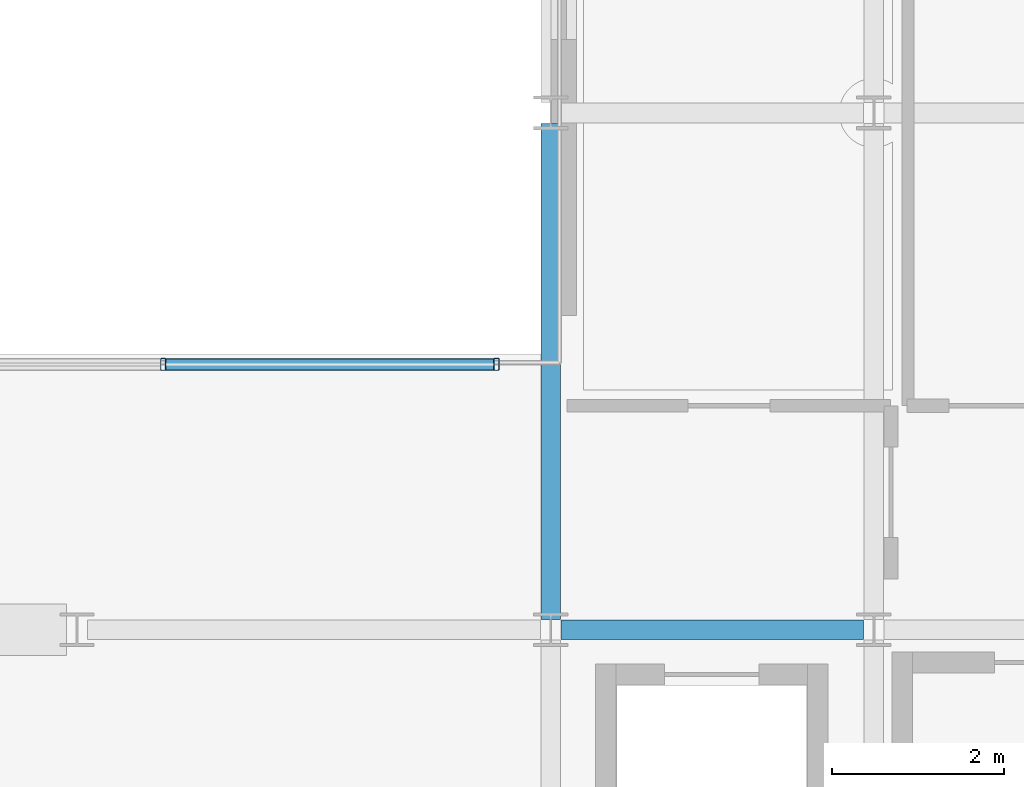
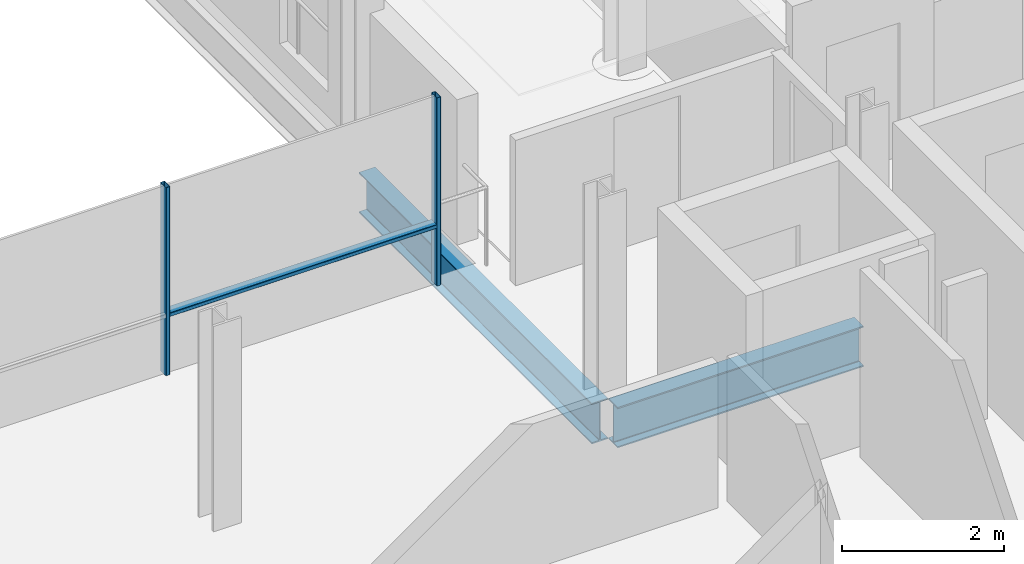
# One storey, part 16 of 36: 3 members, 2 beams, 1 element without a shape of its own.
"""IFC4 building model written with IfcOpenShell, lengths in metres."""

from ifc_helpers import new_model, si_unit, direction, frame, origin, origin_2d, place, context, subcontext, project, spatial, hollow_rectangle, i_section, extrude, material, layer, layer_set, material_profile, profile_set, type_object, element, aggregate, save


model = new_model("IFC4")

# Units and contexts
model_context = context("Model", 3, precision=1e-05, world=origin(), true_north=direction((0.0, 1.0)))
body_context = subcontext(model_context, "Body", "Model", "MODEL_VIEW")
ifc_project = project(units=[si_unit("LENGTHUNIT", "METRE"), si_unit("AREAUNIT", "SQUARE_METRE"), si_unit("VOLUMEUNIT", "CUBIC_METRE"), si_unit("PLANEANGLEUNIT", "RADIAN"), si_unit("MASSUNIT", "GRAM", prefix="KILO")], contexts=[model_context])

# Site, building, storey
site_placement = place(None, origin())
site = spatial("IfcSite", under=ifc_project, at=site_placement, CompositionType="ELEMENT")
building_placement = place(site_placement, origin())
building = spatial("IfcBuilding", under=site, at=building_placement, Name="Brevholm Reach", CompositionType="ELEMENT")
storey_placement = place(building_placement, frame((0.0, 0.0, 175.89990234375)))
storey = spatial("IfcBuildingStorey", under=building, at=storey_placement, Name="L53", CompositionType="ELEMENT", Elevation=175.89990234375)

# Beams
ifc_material_1 = material(Name="Structural Steel S355J2", Category="steel")
ifc_material_profile_1 = material_profile(ifc_material_1, i_section(OverallWidth=0.22900390625, OverallDepth=0.6123046875, WebThickness=0.011962890625, FlangeThickness=0.01953125, FilletRadius=0.0126953125, at=origin_2d()), Name="UKB 610x229x125")
ifc_profile_set_1 = profile_set([ifc_material_profile_1], Name="Structural Steel S355J2")
beam_type = type_object("IfcBeamType", Name="BM-SP610", PredefinedType="SPANDREL", material=ifc_profile_set_1)
beam_1_placement = place(storey_placement, frame((38.3701171875, 10.0, -0.51611328125), z_axis=(1.0, 0.0, 0.0), x_axis=(0.0, 1.0, 0.0)))
element("IfcBeam", 1, at=beam_1_placement, inside=storey, type_object=beam_type, Name="L53 SP-01 Framing Beam", PredefinedType="SPANDREL", context=body_context, shape_type="SweptSolid", body=[
    extrude(i_section(OverallWidth=0.22900390625, OverallDepth=0.6123046875, WebThickness=0.011962890625, FlangeThickness=0.01953125, FilletRadius=0.0126953125, at=origin_2d()), origin(), (0.0, 0.0, 1.0), 3.509765625),
])
beam_2_placement = place(storey_placement, frame((38.25, 10.1201171875, -0.51611328125), z_axis=(0.0, 1.0, 0.0), x_axis=(-1.0, 0.0, 0.0)))
element("IfcBeam", 2, at=beam_2_placement, inside=storey, type_object=beam_type, Name="L53 SP-01 Framing Beam", PredefinedType="SPANDREL", context=body_context, shape_type="SweptSolid", body=[
    extrude(i_section(OverallWidth=0.22900390625, OverallDepth=0.6123046875, WebThickness=0.011962890625, FlangeThickness=0.01953125, FilletRadius=0.0126953125, at=origin_2d()), origin(), (0.0, 0.0, 1.0), 5.759765625),
])

# Curtain wall, members
ifc_material_2 = material(Name="Dark Anodised Aluminium 6063-T6 and Solar-Control Glass", Category="aluminium")
ifc_layer = layer(ifc_material_2, 0.139892578125)
ifc_layer_set = layer_set([ifc_layer], Name="Dark Anodised Aluminium 6063-T6 and Solar-Control Glass")
curtain_wall_type = type_object("IfcCurtainWallType", Name="CW-02", PredefinedType="NOTDEFINED", material=ifc_layer_set)
curtain_wall_placement = place(storey_placement, origin())
curtain_wall = element("IfcCurtainWall", 3, at=curtain_wall_placement, inside=storey, type_object=curtain_wall_type, Name="L53 Curtain Wall CW-02", PredefinedType="NOTDEFINED")
ifc_material_3 = material(Name="Dark Anodised Aluminium 6063-T6", Category="aluminium")
ifc_material_profile_2 = material_profile(ifc_material_3, hollow_rectangle(XDim=0.06005859375, YDim=0.139892578125, WallThickness=0.0048828125, InnerFilletRadius=0.0048828125, OuterFilletRadius=0.010009765625, at=origin_2d()), Name="RHS 140x60x5")
ifc_profile_set_2 = profile_set([ifc_material_profile_2], Name="Dark Anodised Aluminium 6063-T6")
member_type_1 = type_object("IfcMemberType", Name="CWM-140", PredefinedType="MULLION", material=ifc_profile_set_2)
member_1_placement = place(storey_placement, frame((33.75, 13.080078125, 0.0), z_axis=(0.0, 0.0, 1.0), x_axis=(1.0, 0.0, 0.0)))
member_1 = element("IfcMember", 4, at=member_1_placement, type_object=member_type_1, Name="CM-140 Mullion 4", PredefinedType="MULLION", context=body_context, shape_type="SweptSolid", body=[
    extrude(hollow_rectangle(XDim=0.06005859375, YDim=0.139892578125, WallThickness=0.0048828125, InnerFilletRadius=0.0048828125, OuterFilletRadius=0.010009765625, at=origin_2d()), origin(), (0.0, 0.0, 1.0), 2.840087890625),
])
member_2_placement = place(storey_placement, frame((37.6201171875, 13.080078125, 0.0), z_axis=(0.0, 0.0, 1.0), x_axis=(1.0, 0.0, 0.0)))
member_2 = element("IfcMember", 5, at=member_2_placement, type_object=member_type_1, Name="CM-140 Mullion 5", PredefinedType="MULLION", context=body_context, shape_type="SweptSolid", body=[
    extrude(hollow_rectangle(XDim=0.06005859375, YDim=0.139892578125, WallThickness=0.0048828125, InnerFilletRadius=0.0048828125, OuterFilletRadius=0.010009765625, at=origin_2d()), origin(), (0.0, 0.0, 1.0), 2.840087890625),
])
ifc_material_4 = material(Name="Dark Anodised Aluminium 6063-T6", Category="aluminium")
ifc_material_profile_3 = material_profile(ifc_material_4, hollow_rectangle(XDim=0.06005859375, YDim=0.139892578125, WallThickness=0.0048828125, InnerFilletRadius=0.0048828125, OuterFilletRadius=0.010009765625, at=origin_2d()), Name="RHS 140x60x5")
ifc_profile_set_3 = profile_set([ifc_material_profile_3], Name="Dark Anodised Aluminium 6063-T6")
member_type_2 = type_object("IfcMemberType", Name="CWT-140", PredefinedType="NOTDEFINED", material=ifc_profile_set_3)
member_3_placement = place(storey_placement, frame((33.780029296875, 13.080078125, 0.900146484375), z_axis=(1.0, 0.0, 0.0), x_axis=(0.0, 0.0, 1.0)))
member_3 = element("IfcMember", 6, at=member_3_placement, type_object=member_type_2, Name="CT-140 Transom 4.1", ObjectType="TRANSOM", PredefinedType="USERDEFINED", context=body_context, shape_type="SweptSolid", body=[
    extrude(hollow_rectangle(XDim=0.06005859375, YDim=0.139892578125, WallThickness=0.0048828125, InnerFilletRadius=0.0048828125, OuterFilletRadius=0.010009765625, at=origin_2d()), origin(), (0.0, 0.0, 1.0), 3.81005859375),
])
aggregate(curtain_wall, [member_1, member_2, member_3])

save(model, "model.ifc")
